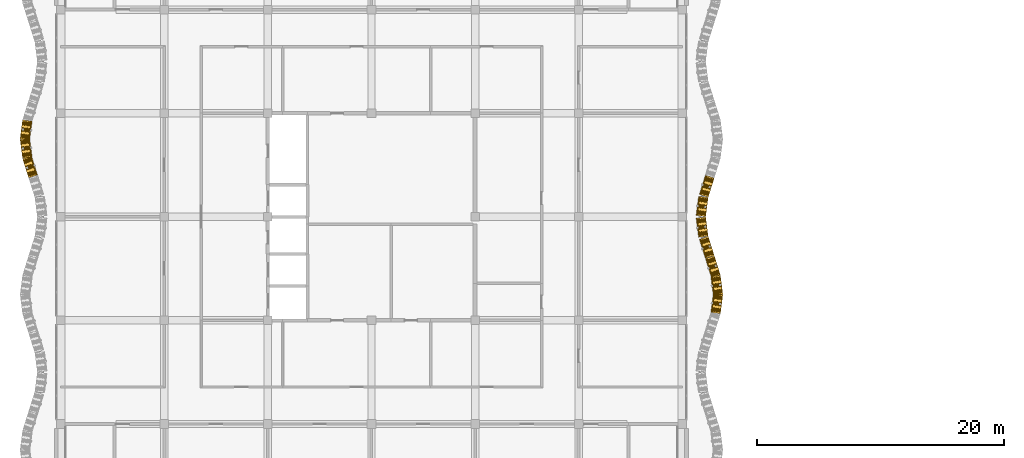
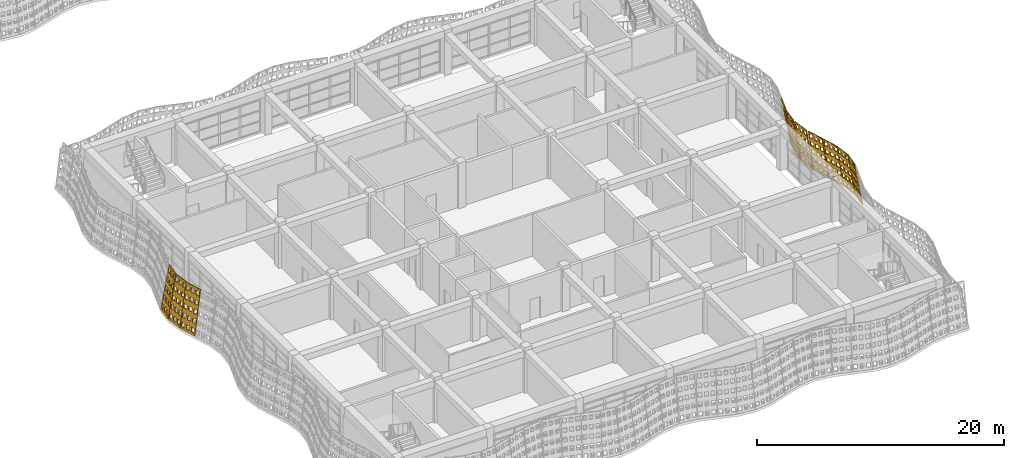
# One storey, part 121 of 162: 10 coverings.
"""IFC4 building model written with IfcOpenShell, lengths in metres."""

from ifc_helpers import new_model, si_unit, direction, frame, origin, place, context, subcontext, project, spatial, polyline, outline, extrude, material, layer, layer_set, type_object, element, save


model = new_model("IFC4")

# Units and contexts
model_context = context("Model", 3, precision=1e-05, world=origin(), true_north=direction((0.0, 1.0)))
body_context = subcontext(model_context, "Body", "Model", "MODEL_VIEW")
ifc_project = project(units=[si_unit("LENGTHUNIT", "METRE"), si_unit("AREAUNIT", "SQUARE_METRE"), si_unit("VOLUMEUNIT", "CUBIC_METRE"), si_unit("PLANEANGLEUNIT", "RADIAN"), si_unit("MASSUNIT", "GRAM", prefix="KILO")], contexts=[model_context])

# Site, building, storey
site_placement = place(None, origin())
site = spatial("IfcSite", under=ifc_project, at=site_placement, CompositionType="ELEMENT")
building_placement = place(site_placement, origin())
building = spatial("IfcBuilding", under=site, at=building_placement, Name="Rain Tree Exposition and Congress Centre", CompositionType="ELEMENT")
storey_placement = place(building_placement, frame((0.0, 0.0, 6.0)))
storey = spatial("IfcBuildingStorey", under=building, at=storey_placement, Name="L01", CompositionType="ELEMENT", Elevation=6.0)

# Coverings
ifc_material = material(Name="Perforated terracotta", Category="masonry")
ifc_layer = layer(ifc_material, 0.080078125)
ifc_layer_set = layer_set([ifc_layer], Name="Perforated terracotta")
covering_type = type_object("IfcCoveringType", Name="Terracotta screen 80", PredefinedType="CLADDING", material=ifc_layer_set)
covering_1_placement = place(storey_placement, frame((53.4931640625, 17.3251953125, 0.01318359375), z_axis=(-0.978036007662, 0.127967328105, -0.16452942185), x_axis=(-0.129735338481, -0.991548658387, 0.0)))
element("IfcCovering", 1, at=covering_1_placement, inside=storey, type_object=covering_type, Name="wing/screen/L01/046", PredefinedType="CLADDING", context=body_context, shape_type="SweptSolid", body=[
    extrude(outline(polyline([(-1.56298828125, 0.0), (-1.56298828125, 4.295166015625), (-0.02197265625, 4.295166015625), (-0.02197265625, 0.0), (-1.56298828125, 0.0)]), holes=[polyline([(-0.11962890625, 0.2216796875), (-0.11962890625, 0.63720703125), (-0.43798828125, 0.63720703125), (-0.43798828125, 0.2216796875), (-0.11962890625, 0.2216796875)]), polyline([(-0.11962890625, 1.080810546875), (-0.11962890625, 1.496337890625), (-0.43798828125, 1.496337890625), (-0.43798828125, 1.080810546875), (-0.11962890625, 1.080810546875)]), polyline([(-0.11962890625, 1.939697265625), (-0.11962890625, 2.35546875), (-0.43798828125, 2.35546875), (-0.43798828125, 1.939697265625), (-0.11962890625, 1.939697265625)]), polyline([(-0.11962890625, 2.798583984375), (-0.11962890625, 3.21435546875), (-0.43798828125, 3.21435546875), (-0.43798828125, 2.798583984375), (-0.11962890625, 2.798583984375)]), polyline([(-0.11962890625, 3.65771484375), (-0.11962890625, 4.073486328125), (-0.43798828125, 4.073486328125), (-0.43798828125, 3.65771484375), (-0.11962890625, 3.65771484375)]), polyline([(-0.63330078125, 0.2216796875), (-0.63330078125, 0.63720703125), (-0.95166015625, 0.63720703125), (-0.95166015625, 0.2216796875), (-0.63330078125, 0.2216796875)]), polyline([(-0.63330078125, 1.080810546875), (-0.63330078125, 1.496337890625), (-0.95166015625, 1.496337890625), (-0.95166015625, 1.080810546875), (-0.63330078125, 1.080810546875)]), polyline([(-0.63330078125, 1.939697265625), (-0.63330078125, 2.35546875), (-0.95166015625, 2.35546875), (-0.95166015625, 1.939697265625), (-0.63330078125, 1.939697265625)]), polyline([(-0.63330078125, 2.798583984375), (-0.63330078125, 3.21435546875), (-0.95166015625, 3.21435546875), (-0.95166015625, 2.798583984375), (-0.63330078125, 2.798583984375)]), polyline([(-0.63330078125, 3.65771484375), (-0.63330078125, 4.073486328125), (-0.95166015625, 4.073486328125), (-0.95166015625, 3.65771484375), (-0.63330078125, 3.65771484375)]), polyline([(-1.146728515625, 0.2216796875), (-1.146728515625, 0.63720703125), (-1.46533203125, 0.63720703125), (-1.46533203125, 0.2216796875), (-1.146728515625, 0.2216796875)]), polyline([(-1.146728515625, 1.080810546875), (-1.146728515625, 1.496337890625), (-1.46533203125, 1.496337890625), (-1.46533203125, 1.080810546875), (-1.146728515625, 1.080810546875)]), polyline([(-1.146728515625, 1.939697265625), (-1.146728515625, 2.35546875), (-1.46533203125, 2.35546875), (-1.46533203125, 1.939697265625), (-1.146728515625, 1.939697265625)]), polyline([(-1.146728515625, 2.798583984375), (-1.146728515625, 3.21435546875), (-1.46533203125, 3.21435546875), (-1.46533203125, 2.798583984375), (-1.146728515625, 2.798583984375)]), polyline([(-1.146728515625, 3.65771484375), (-1.146728515625, 4.073486328125), (-1.46533203125, 4.073486328125), (-1.46533203125, 3.65771484375), (-1.146728515625, 3.65771484375)])]), origin(), (0.0, 0.0, 1.0), 0.080078125),
])
covering_2_placement = place(storey_placement, frame((53.697998046875, 18.899658203125, 0.01318359375), z_axis=(-0.9779030419, -0.128349774249, -0.165021138321), x_axis=(0.130133906157, -0.991496427865, 0.0)))
element("IfcCovering", 2, at=covering_2_placement, inside=storey, type_object=covering_type, Name="wing/screen/L01/047", PredefinedType="CLADDING", context=body_context, shape_type="SweptSolid", body=[
    extrude(outline(polyline([(-1.56640625, 0.0), (-1.56640625, 4.295166015625), (-0.025390625, 4.295166015625), (-0.025390625, 0.0), (-1.56640625, 0.0)]), holes=[polyline([(-0.123046875, 0.2216796875), (-0.123046875, 0.63720703125), (-0.44140625, 0.63720703125), (-0.44140625, 0.2216796875), (-0.123046875, 0.2216796875)]), polyline([(-0.123046875, 1.080810546875), (-0.123046875, 1.496337890625), (-0.44140625, 1.496337890625), (-0.44140625, 1.080810546875), (-0.123046875, 1.080810546875)]), polyline([(-0.123046875, 1.939697265625), (-0.123046875, 2.35546875), (-0.44140625, 2.35546875), (-0.44140625, 1.939697265625), (-0.123046875, 1.939697265625)]), polyline([(-0.123046875, 2.798583984375), (-0.123046875, 3.21435546875), (-0.44140625, 3.21435546875), (-0.44140625, 2.798583984375), (-0.123046875, 2.798583984375)]), polyline([(-0.123046875, 3.65771484375), (-0.123046875, 4.073486328125), (-0.44140625, 4.073486328125), (-0.44140625, 3.65771484375), (-0.123046875, 3.65771484375)]), polyline([(-0.63671875, 0.2216796875), (-0.63671875, 0.63720703125), (-0.955078125, 0.63720703125), (-0.955078125, 0.2216796875), (-0.63671875, 0.2216796875)]), polyline([(-0.63671875, 1.080810546875), (-0.63671875, 1.496337890625), (-0.955078125, 1.496337890625), (-0.955078125, 1.080810546875), (-0.63671875, 1.080810546875)]), polyline([(-0.63671875, 1.939697265625), (-0.63671875, 2.35546875), (-0.955078125, 2.35546875), (-0.955078125, 1.939697265625), (-0.63671875, 1.939697265625)]), polyline([(-0.63671875, 2.798583984375), (-0.63671875, 3.21435546875), (-0.955078125, 3.21435546875), (-0.955078125, 2.798583984375), (-0.63671875, 2.798583984375)]), polyline([(-0.63671875, 3.65771484375), (-0.63671875, 4.073486328125), (-0.955078125, 4.073486328125), (-0.955078125, 3.65771484375), (-0.63671875, 3.65771484375)]), polyline([(-1.150146484375, 0.2216796875), (-1.150146484375, 0.63720703125), (-1.46875, 0.63720703125), (-1.46875, 0.2216796875), (-1.150146484375, 0.2216796875)]), polyline([(-1.150146484375, 1.080810546875), (-1.150146484375, 1.496337890625), (-1.46875, 1.496337890625), (-1.46875, 1.080810546875), (-1.150146484375, 1.080810546875)]), polyline([(-1.150146484375, 1.939697265625), (-1.150146484375, 2.35546875), (-1.46875, 2.35546875), (-1.46875, 1.939697265625), (-1.150146484375, 1.939697265625)]), polyline([(-1.150146484375, 2.798583984375), (-1.150146484375, 3.21435546875), (-1.46875, 3.21435546875), (-1.46875, 2.798583984375), (-1.150146484375, 2.798583984375)]), polyline([(-1.150146484375, 3.65771484375), (-1.150146484375, 4.073486328125), (-1.46875, 4.073486328125), (-1.46875, 3.65771484375), (-1.150146484375, 3.65771484375)])]), origin(), (0.0, 0.0, 1.0), 0.079833984375),
])
covering_3_placement = place(storey_placement, frame((53.493408203125, 20.474365234375, 0.0126953125), z_axis=(-0.942029390639, -0.295717964052, -0.158529217842), x_axis=(0.29950542383, -0.954094597562, 0.0)))
element("IfcCovering", 3, at=covering_3_placement, inside=storey, type_object=covering_type, Name="wing/screen/L01/048", PredefinedType="CLADDING", context=body_context, shape_type="SweptSolid", body=[
    extrude(outline(polyline([(-1.635986328125, 0.0), (-1.635986328125, 4.291259765625), (-0.02197265625, 4.291259765625), (-0.02197265625, 0.0), (-1.635986328125, 0.0)]), holes=[polyline([(-0.124267578125, 0.221435546875), (-0.124267578125, 0.63671875), (-0.457763671875, 0.63671875), (-0.457763671875, 0.221435546875), (-0.124267578125, 0.221435546875)]), polyline([(-0.124267578125, 1.07958984375), (-0.124267578125, 1.4951171875), (-0.457763671875, 1.4951171875), (-0.457763671875, 1.07958984375), (-0.124267578125, 1.07958984375)]), polyline([(-0.124267578125, 1.93798828125), (-0.124267578125, 2.353271484375), (-0.457763671875, 2.353271484375), (-0.457763671875, 1.93798828125), (-0.124267578125, 1.93798828125)]), polyline([(-0.124267578125, 2.796142578125), (-0.124267578125, 3.21142578125), (-0.457763671875, 3.21142578125), (-0.457763671875, 2.796142578125), (-0.124267578125, 2.796142578125)]), polyline([(-0.124267578125, 3.654541015625), (-0.124267578125, 4.06982421875), (-0.457763671875, 4.06982421875), (-0.457763671875, 3.654541015625), (-0.124267578125, 3.654541015625)]), polyline([(-0.662109375, 0.221435546875), (-0.662109375, 0.63671875), (-0.995849609375, 0.63671875), (-0.995849609375, 0.221435546875), (-0.662109375, 0.221435546875)]), polyline([(-0.662109375, 1.07958984375), (-0.662109375, 1.4951171875), (-0.995849609375, 1.4951171875), (-0.995849609375, 1.07958984375), (-0.662109375, 1.07958984375)]), polyline([(-0.662109375, 1.93798828125), (-0.662109375, 2.353271484375), (-0.995849609375, 2.353271484375), (-0.995849609375, 1.93798828125), (-0.662109375, 1.93798828125)]), polyline([(-0.662109375, 2.796142578125), (-0.662109375, 3.21142578125), (-0.995849609375, 3.21142578125), (-0.995849609375, 2.796142578125), (-0.662109375, 2.796142578125)]), polyline([(-0.662109375, 3.654541015625), (-0.662109375, 4.06982421875), (-0.995849609375, 4.06982421875), (-0.995849609375, 3.654541015625), (-0.662109375, 3.654541015625)]), polyline([(-1.2001953125, 0.221435546875), (-1.2001953125, 0.63671875), (-1.53369140625, 0.63671875), (-1.53369140625, 0.221435546875), (-1.2001953125, 0.221435546875)]), polyline([(-1.2001953125, 1.07958984375), (-1.2001953125, 1.4951171875), (-1.53369140625, 1.4951171875), (-1.53369140625, 1.07958984375), (-1.2001953125, 1.07958984375)]), polyline([(-1.2001953125, 1.93798828125), (-1.2001953125, 2.353271484375), (-1.53369140625, 2.353271484375), (-1.53369140625, 1.93798828125), (-1.2001953125, 1.93798828125)]), polyline([(-1.2001953125, 2.796142578125), (-1.2001953125, 3.21142578125), (-1.53369140625, 3.21142578125), (-1.53369140625, 2.796142578125), (-1.2001953125, 2.796142578125)]), polyline([(-1.2001953125, 3.654541015625), (-1.2001953125, 4.06982421875), (-1.53369140625, 4.06982421875), (-1.53369140625, 3.654541015625), (-1.2001953125, 3.654541015625)])]), origin(), (0.0, 0.0, 1.0), 0.080078125),
])
covering_4_placement = place(storey_placement, frame((52.998291015625, 22.04931640625, 0.0126953125), z_axis=(-0.941684688936, -0.296569528658, -0.158985726703), x_axis=(0.300390227601, -0.953816392794, 0.0)))
element("IfcCovering", 4, at=covering_4_placement, inside=storey, type_object=covering_type, Name="wing/screen/L01/049", PredefinedType="CLADDING", context=body_context, shape_type="SweptSolid", body=[
    extrude(outline(polyline([(-1.635986328125, 0.0), (-1.635986328125, 4.291259765625), (-0.014892578125, 4.291259765625), (-0.014892578125, 0.0), (-1.635986328125, 0.0)]), holes=[polyline([(-0.11767578125, 0.221435546875), (-0.11767578125, 0.63671875), (-0.45263671875, 0.63671875), (-0.45263671875, 0.221435546875), (-0.11767578125, 0.221435546875)]), polyline([(-0.11767578125, 1.07958984375), (-0.11767578125, 1.4951171875), (-0.45263671875, 1.4951171875), (-0.45263671875, 1.07958984375), (-0.11767578125, 1.07958984375)]), polyline([(-0.11767578125, 1.93798828125), (-0.11767578125, 2.353271484375), (-0.45263671875, 2.353271484375), (-0.45263671875, 1.93798828125), (-0.11767578125, 1.93798828125)]), polyline([(-0.11767578125, 2.796142578125), (-0.11767578125, 3.21142578125), (-0.45263671875, 3.21142578125), (-0.45263671875, 2.796142578125), (-0.11767578125, 2.796142578125)]), polyline([(-0.11767578125, 3.654541015625), (-0.11767578125, 4.06982421875), (-0.45263671875, 4.06982421875), (-0.45263671875, 3.654541015625), (-0.11767578125, 3.654541015625)]), polyline([(-0.657958984375, 0.221435546875), (-0.657958984375, 0.63671875), (-0.992919921875, 0.63671875), (-0.992919921875, 0.221435546875), (-0.657958984375, 0.221435546875)]), polyline([(-0.657958984375, 1.07958984375), (-0.657958984375, 1.4951171875), (-0.992919921875, 1.4951171875), (-0.992919921875, 1.07958984375), (-0.657958984375, 1.07958984375)]), polyline([(-0.657958984375, 1.93798828125), (-0.657958984375, 2.353271484375), (-0.992919921875, 2.353271484375), (-0.992919921875, 1.93798828125), (-0.657958984375, 1.93798828125)]), polyline([(-0.657958984375, 2.796142578125), (-0.657958984375, 3.21142578125), (-0.992919921875, 3.21142578125), (-0.992919921875, 2.796142578125), (-0.657958984375, 2.796142578125)]), polyline([(-0.657958984375, 3.654541015625), (-0.657958984375, 4.06982421875), (-0.992919921875, 4.06982421875), (-0.992919921875, 3.654541015625), (-0.657958984375, 3.654541015625)]), polyline([(-1.1982421875, 0.221435546875), (-1.1982421875, 0.63671875), (-1.533203125, 0.63671875), (-1.533203125, 0.221435546875), (-1.1982421875, 0.221435546875)]), polyline([(-1.1982421875, 1.07958984375), (-1.1982421875, 1.4951171875), (-1.533203125, 1.4951171875), (-1.533203125, 1.07958984375), (-1.1982421875, 1.07958984375)]), polyline([(-1.1982421875, 1.93798828125), (-1.1982421875, 2.353271484375), (-1.533203125, 2.353271484375), (-1.533203125, 1.93798828125), (-1.1982421875, 1.93798828125)]), polyline([(-1.1982421875, 2.796142578125), (-1.1982421875, 3.21142578125), (-1.533203125, 3.21142578125), (-1.533203125, 2.796142578125), (-1.1982421875, 2.796142578125)]), polyline([(-1.1982421875, 3.654541015625), (-1.1982421875, 4.06982421875), (-1.533203125, 4.06982421875), (-1.533203125, 3.654541015625), (-1.1982421875, 3.654541015625)])]), origin(), (0.0, 0.0, 1.0), 0.079833984375),
])
covering_5_placement = place(storey_placement, frame((52.503173828125, 23.624755859375, 0.01318359375), z_axis=(-0.978036007662, -0.127967328105, -0.16452942185), x_axis=(0.129735338481, -0.991548658387, 0.0)))
element("IfcCovering", 5, at=covering_5_placement, inside=storey, type_object=covering_type, Name="wing/screen/L01/050", PredefinedType="CLADDING", context=body_context, shape_type="SweptSolid", body=[
    extrude(outline(polyline([(-1.5732421875, 0.0), (-1.5732421875, 4.295166015625), (-0.014892578125, 4.295166015625), (-0.014892578125, 0.0), (-1.5732421875, 0.0)]), holes=[polyline([(-0.11376953125, 0.2216796875), (-0.11376953125, 0.63720703125), (-0.435791015625, 0.63720703125), (-0.435791015625, 0.2216796875), (-0.11376953125, 0.2216796875)]), polyline([(-0.11376953125, 1.080810546875), (-0.11376953125, 1.496337890625), (-0.435791015625, 1.496337890625), (-0.435791015625, 1.080810546875), (-0.11376953125, 1.080810546875)]), polyline([(-0.11376953125, 1.939697265625), (-0.11376953125, 2.35546875), (-0.435791015625, 2.35546875), (-0.435791015625, 1.939697265625), (-0.11376953125, 1.939697265625)]), polyline([(-0.11376953125, 2.798583984375), (-0.11376953125, 3.21435546875), (-0.435791015625, 3.21435546875), (-0.435791015625, 2.798583984375), (-0.11376953125, 2.798583984375)]), polyline([(-0.11376953125, 3.65771484375), (-0.11376953125, 4.073486328125), (-0.435791015625, 4.073486328125), (-0.435791015625, 3.65771484375), (-0.11376953125, 3.65771484375)]), polyline([(-0.633056640625, 0.2216796875), (-0.633056640625, 0.63720703125), (-0.955078125, 0.63720703125), (-0.955078125, 0.2216796875), (-0.633056640625, 0.2216796875)]), polyline([(-0.633056640625, 1.080810546875), (-0.633056640625, 1.496337890625), (-0.955078125, 1.496337890625), (-0.955078125, 1.080810546875), (-0.633056640625, 1.080810546875)]), polyline([(-0.633056640625, 1.939697265625), (-0.633056640625, 2.35546875), (-0.955078125, 2.35546875), (-0.955078125, 1.939697265625), (-0.633056640625, 1.939697265625)]), polyline([(-0.633056640625, 2.798583984375), (-0.633056640625, 3.21435546875), (-0.955078125, 3.21435546875), (-0.955078125, 2.798583984375), (-0.633056640625, 2.798583984375)]), polyline([(-0.633056640625, 3.65771484375), (-0.633056640625, 4.073486328125), (-0.955078125, 4.073486328125), (-0.955078125, 3.65771484375), (-0.633056640625, 3.65771484375)]), polyline([(-1.152587890625, 0.2216796875), (-1.152587890625, 0.63720703125), (-1.474609375, 0.63720703125), (-1.474609375, 0.2216796875), (-1.152587890625, 0.2216796875)]), polyline([(-1.152587890625, 1.080810546875), (-1.152587890625, 1.496337890625), (-1.474609375, 1.496337890625), (-1.474609375, 1.080810546875), (-1.152587890625, 1.080810546875)]), polyline([(-1.152587890625, 1.939697265625), (-1.152587890625, 2.35546875), (-1.474609375, 2.35546875), (-1.474609375, 1.939697265625), (-1.152587890625, 1.939697265625)]), polyline([(-1.152587890625, 2.798583984375), (-1.152587890625, 3.21435546875), (-1.474609375, 3.21435546875), (-1.474609375, 2.798583984375), (-1.152587890625, 2.798583984375)]), polyline([(-1.152587890625, 3.65771484375), (-1.152587890625, 4.073486328125), (-1.474609375, 4.073486328125), (-1.474609375, 3.65771484375), (-1.152587890625, 3.65771484375)])]), origin(), (0.0, 0.0, 1.0), 0.080078125),
])
covering_6_placement = place(storey_placement, frame((52.298095703125, 25.2001953125, 0.01318359375), z_axis=(-0.9779030419, 0.128349774249, -0.165021138321), x_axis=(-0.130133906157, -0.991496427865, 0.0)))
element("IfcCovering", 6, at=covering_6_placement, inside=storey, type_object=covering_type, Name="wing/screen/L01/051", PredefinedType="CLADDING", context=body_context, shape_type="SweptSolid", body=[
    extrude(outline(polyline([(-1.5732421875, 0.0), (-1.5732421875, 4.295166015625), (-0.014892578125, 4.295166015625), (-0.014892578125, 0.0), (-1.5732421875, 0.0)]), holes=[polyline([(-0.11376953125, 0.2216796875), (-0.11376953125, 0.63720703125), (-0.435791015625, 0.63720703125), (-0.435791015625, 0.2216796875), (-0.11376953125, 0.2216796875)]), polyline([(-0.11376953125, 1.080810546875), (-0.11376953125, 1.496337890625), (-0.435791015625, 1.496337890625), (-0.435791015625, 1.080810546875), (-0.11376953125, 1.080810546875)]), polyline([(-0.11376953125, 1.939697265625), (-0.11376953125, 2.35546875), (-0.435791015625, 2.35546875), (-0.435791015625, 1.939697265625), (-0.11376953125, 1.939697265625)]), polyline([(-0.11376953125, 2.798583984375), (-0.11376953125, 3.21435546875), (-0.435791015625, 3.21435546875), (-0.435791015625, 2.798583984375), (-0.11376953125, 2.798583984375)]), polyline([(-0.11376953125, 3.65771484375), (-0.11376953125, 4.073486328125), (-0.435791015625, 4.073486328125), (-0.435791015625, 3.65771484375), (-0.11376953125, 3.65771484375)]), polyline([(-0.633056640625, 0.2216796875), (-0.633056640625, 0.63720703125), (-0.955078125, 0.63720703125), (-0.955078125, 0.2216796875), (-0.633056640625, 0.2216796875)]), polyline([(-0.633056640625, 1.080810546875), (-0.633056640625, 1.496337890625), (-0.955078125, 1.496337890625), (-0.955078125, 1.080810546875), (-0.633056640625, 1.080810546875)]), polyline([(-0.633056640625, 1.939697265625), (-0.633056640625, 2.35546875), (-0.955078125, 2.35546875), (-0.955078125, 1.939697265625), (-0.633056640625, 1.939697265625)]), polyline([(-0.633056640625, 2.798583984375), (-0.633056640625, 3.21435546875), (-0.955078125, 3.21435546875), (-0.955078125, 2.798583984375), (-0.633056640625, 2.798583984375)]), polyline([(-0.633056640625, 3.65771484375), (-0.633056640625, 4.073486328125), (-0.955078125, 4.073486328125), (-0.955078125, 3.65771484375), (-0.633056640625, 3.65771484375)]), polyline([(-1.152587890625, 0.2216796875), (-1.152587890625, 0.63720703125), (-1.474609375, 0.63720703125), (-1.474609375, 0.2216796875), (-1.152587890625, 0.2216796875)]), polyline([(-1.152587890625, 1.080810546875), (-1.152587890625, 1.496337890625), (-1.474609375, 1.496337890625), (-1.474609375, 1.080810546875), (-1.152587890625, 1.080810546875)]), polyline([(-1.152587890625, 1.939697265625), (-1.152587890625, 2.35546875), (-1.474609375, 2.35546875), (-1.474609375, 1.939697265625), (-1.152587890625, 1.939697265625)]), polyline([(-1.152587890625, 2.798583984375), (-1.152587890625, 3.21435546875), (-1.474609375, 3.21435546875), (-1.474609375, 2.798583984375), (-1.152587890625, 2.798583984375)]), polyline([(-1.152587890625, 3.65771484375), (-1.152587890625, 4.073486328125), (-1.474609375, 4.073486328125), (-1.474609375, 3.65771484375), (-1.152587890625, 3.65771484375)])]), origin(), (0.0, 0.0, 1.0), 0.079833984375),
])
covering_7_placement = place(storey_placement, frame((52.50341796875, 26.775634765625, 0.0126953125), z_axis=(-0.942029390639, 0.295717964052, -0.158529217842), x_axis=(-0.29950542383, -0.954094597562, 0.0)))
element("IfcCovering", 7, at=covering_7_placement, inside=storey, type_object=covering_type, Name="wing/screen/L01/052", PredefinedType="CLADDING", context=body_context, shape_type="SweptSolid", body=[
    extrude(outline(polyline([(-1.635986328125, 0.0), (-1.635986328125, 4.291259765625), (-0.014892578125, 4.291259765625), (-0.014892578125, 0.0), (-1.635986328125, 0.0)]), holes=[polyline([(-0.11767578125, 0.221435546875), (-0.11767578125, 0.63671875), (-0.45263671875, 0.63671875), (-0.45263671875, 0.221435546875), (-0.11767578125, 0.221435546875)]), polyline([(-0.11767578125, 1.07958984375), (-0.11767578125, 1.4951171875), (-0.45263671875, 1.4951171875), (-0.45263671875, 1.07958984375), (-0.11767578125, 1.07958984375)]), polyline([(-0.11767578125, 1.93798828125), (-0.11767578125, 2.353271484375), (-0.45263671875, 2.353271484375), (-0.45263671875, 1.93798828125), (-0.11767578125, 1.93798828125)]), polyline([(-0.11767578125, 2.796142578125), (-0.11767578125, 3.21142578125), (-0.45263671875, 3.21142578125), (-0.45263671875, 2.796142578125), (-0.11767578125, 2.796142578125)]), polyline([(-0.11767578125, 3.654541015625), (-0.11767578125, 4.06982421875), (-0.45263671875, 4.06982421875), (-0.45263671875, 3.654541015625), (-0.11767578125, 3.654541015625)]), polyline([(-0.657958984375, 0.221435546875), (-0.657958984375, 0.63671875), (-0.992919921875, 0.63671875), (-0.992919921875, 0.221435546875), (-0.657958984375, 0.221435546875)]), polyline([(-0.657958984375, 1.07958984375), (-0.657958984375, 1.4951171875), (-0.992919921875, 1.4951171875), (-0.992919921875, 1.07958984375), (-0.657958984375, 1.07958984375)]), polyline([(-0.657958984375, 1.93798828125), (-0.657958984375, 2.353271484375), (-0.992919921875, 2.353271484375), (-0.992919921875, 1.93798828125), (-0.657958984375, 1.93798828125)]), polyline([(-0.657958984375, 2.796142578125), (-0.657958984375, 3.21142578125), (-0.992919921875, 3.21142578125), (-0.992919921875, 2.796142578125), (-0.657958984375, 2.796142578125)]), polyline([(-0.657958984375, 3.654541015625), (-0.657958984375, 4.06982421875), (-0.992919921875, 4.06982421875), (-0.992919921875, 3.654541015625), (-0.657958984375, 3.654541015625)]), polyline([(-1.1982421875, 0.221435546875), (-1.1982421875, 0.63671875), (-1.533203125, 0.63671875), (-1.533203125, 0.221435546875), (-1.1982421875, 0.221435546875)]), polyline([(-1.1982421875, 1.07958984375), (-1.1982421875, 1.4951171875), (-1.533203125, 1.4951171875), (-1.533203125, 1.07958984375), (-1.1982421875, 1.07958984375)]), polyline([(-1.1982421875, 1.93798828125), (-1.1982421875, 2.353271484375), (-1.533203125, 2.353271484375), (-1.533203125, 1.93798828125), (-1.1982421875, 1.93798828125)]), polyline([(-1.1982421875, 2.796142578125), (-1.1982421875, 3.21142578125), (-1.533203125, 3.21142578125), (-1.533203125, 2.796142578125), (-1.1982421875, 2.796142578125)]), polyline([(-1.1982421875, 3.654541015625), (-1.1982421875, 4.06982421875), (-1.533203125, 4.06982421875), (-1.533203125, 3.654541015625), (-1.1982421875, 3.654541015625)])]), origin(), (0.0, 0.0, 1.0), 0.080078125),
])
covering_8_placement = place(storey_placement, frame((-3.093017578125, 33.07470703125, 0.01318359375), z_axis=(0.9779030419, -0.128349774249, -0.165021138321), x_axis=(0.130133906157, 0.991496427865, 0.0)))
element("IfcCovering", 8, at=covering_8_placement, inside=storey, type_object=covering_type, Name="wing/screen/L01/114", PredefinedType="CLADDING", context=body_context, shape_type="SweptSolid", body=[
    extrude(outline(polyline([(-1.56298828125, 0.0), (-1.56298828125, 4.295166015625), (-0.02197265625, 4.295166015625), (-0.02197265625, 0.0), (-1.56298828125, 0.0)]), holes=[polyline([(-0.11962890625, 0.2216796875), (-0.11962890625, 0.63720703125), (-0.43798828125, 0.63720703125), (-0.43798828125, 0.2216796875), (-0.11962890625, 0.2216796875)]), polyline([(-0.11962890625, 1.080810546875), (-0.11962890625, 1.496337890625), (-0.43798828125, 1.496337890625), (-0.43798828125, 1.080810546875), (-0.11962890625, 1.080810546875)]), polyline([(-0.11962890625, 1.939697265625), (-0.11962890625, 2.35546875), (-0.43798828125, 2.35546875), (-0.43798828125, 1.939697265625), (-0.11962890625, 1.939697265625)]), polyline([(-0.11962890625, 2.798583984375), (-0.11962890625, 3.21435546875), (-0.43798828125, 3.21435546875), (-0.43798828125, 2.798583984375), (-0.11962890625, 2.798583984375)]), polyline([(-0.11962890625, 3.65771484375), (-0.11962890625, 4.073486328125), (-0.43798828125, 4.073486328125), (-0.43798828125, 3.65771484375), (-0.11962890625, 3.65771484375)]), polyline([(-0.63330078125, 0.2216796875), (-0.63330078125, 0.63720703125), (-0.95166015625, 0.63720703125), (-0.95166015625, 0.2216796875), (-0.63330078125, 0.2216796875)]), polyline([(-0.63330078125, 1.080810546875), (-0.63330078125, 1.496337890625), (-0.95166015625, 1.496337890625), (-0.95166015625, 1.080810546875), (-0.63330078125, 1.080810546875)]), polyline([(-0.63330078125, 1.939697265625), (-0.63330078125, 2.35546875), (-0.95166015625, 2.35546875), (-0.95166015625, 1.939697265625), (-0.63330078125, 1.939697265625)]), polyline([(-0.63330078125, 2.798583984375), (-0.63330078125, 3.21435546875), (-0.95166015625, 3.21435546875), (-0.95166015625, 2.798583984375), (-0.63330078125, 2.798583984375)]), polyline([(-0.63330078125, 3.65771484375), (-0.63330078125, 4.073486328125), (-0.95166015625, 4.073486328125), (-0.95166015625, 3.65771484375), (-0.63330078125, 3.65771484375)]), polyline([(-1.146728515625, 0.2216796875), (-1.146728515625, 0.63720703125), (-1.46533203125, 0.63720703125), (-1.46533203125, 0.2216796875), (-1.146728515625, 0.2216796875)]), polyline([(-1.146728515625, 1.080810546875), (-1.146728515625, 1.496337890625), (-1.46533203125, 1.496337890625), (-1.46533203125, 1.080810546875), (-1.146728515625, 1.080810546875)]), polyline([(-1.146728515625, 1.939697265625), (-1.146728515625, 2.35546875), (-1.46533203125, 2.35546875), (-1.46533203125, 1.939697265625), (-1.146728515625, 1.939697265625)]), polyline([(-1.146728515625, 2.798583984375), (-1.146728515625, 3.21435546875), (-1.46533203125, 3.21435546875), (-1.46533203125, 2.798583984375), (-1.146728515625, 2.798583984375)]), polyline([(-1.146728515625, 3.65771484375), (-1.146728515625, 4.073486328125), (-1.46533203125, 4.073486328125), (-1.46533203125, 3.65771484375), (-1.146728515625, 3.65771484375)])]), origin(), (0.0, 0.0, 1.0), 0.079833984375),
])
covering_9_placement = place(storey_placement, frame((-3.298095703125, 31.500244140625, 0.01318359375), z_axis=(0.9779030419, 0.128349774249, -0.165021138321), x_axis=(-0.130133906157, 0.991496427865, 0.0)))
element("IfcCovering", 9, at=covering_9_placement, inside=storey, type_object=covering_type, Name="wing/screen/L01/115", PredefinedType="CLADDING", context=body_context, shape_type="SweptSolid", body=[
    extrude(outline(polyline([(-1.56640625, 0.0), (-1.56640625, 4.295166015625), (-0.025390625, 4.295166015625), (-0.025390625, 0.0), (-1.56640625, 0.0)]), holes=[polyline([(-0.123046875, 0.2216796875), (-0.123046875, 0.63720703125), (-0.44140625, 0.63720703125), (-0.44140625, 0.2216796875), (-0.123046875, 0.2216796875)]), polyline([(-0.123046875, 1.080810546875), (-0.123046875, 1.496337890625), (-0.44140625, 1.496337890625), (-0.44140625, 1.080810546875), (-0.123046875, 1.080810546875)]), polyline([(-0.123046875, 1.939697265625), (-0.123046875, 2.35546875), (-0.44140625, 2.35546875), (-0.44140625, 1.939697265625), (-0.123046875, 1.939697265625)]), polyline([(-0.123046875, 2.798583984375), (-0.123046875, 3.21435546875), (-0.44140625, 3.21435546875), (-0.44140625, 2.798583984375), (-0.123046875, 2.798583984375)]), polyline([(-0.123046875, 3.65771484375), (-0.123046875, 4.073486328125), (-0.44140625, 4.073486328125), (-0.44140625, 3.65771484375), (-0.123046875, 3.65771484375)]), polyline([(-0.63671875, 0.2216796875), (-0.63671875, 0.63720703125), (-0.955078125, 0.63720703125), (-0.955078125, 0.2216796875), (-0.63671875, 0.2216796875)]), polyline([(-0.63671875, 1.080810546875), (-0.63671875, 1.496337890625), (-0.955078125, 1.496337890625), (-0.955078125, 1.080810546875), (-0.63671875, 1.080810546875)]), polyline([(-0.63671875, 1.939697265625), (-0.63671875, 2.35546875), (-0.955078125, 2.35546875), (-0.955078125, 1.939697265625), (-0.63671875, 1.939697265625)]), polyline([(-0.63671875, 2.798583984375), (-0.63671875, 3.21435546875), (-0.955078125, 3.21435546875), (-0.955078125, 2.798583984375), (-0.63671875, 2.798583984375)]), polyline([(-0.63671875, 3.65771484375), (-0.63671875, 4.073486328125), (-0.955078125, 4.073486328125), (-0.955078125, 3.65771484375), (-0.63671875, 3.65771484375)]), polyline([(-1.150146484375, 0.2216796875), (-1.150146484375, 0.63720703125), (-1.46875, 0.63720703125), (-1.46875, 0.2216796875), (-1.150146484375, 0.2216796875)]), polyline([(-1.150146484375, 1.080810546875), (-1.150146484375, 1.496337890625), (-1.46875, 1.496337890625), (-1.46875, 1.080810546875), (-1.150146484375, 1.080810546875)]), polyline([(-1.150146484375, 1.939697265625), (-1.150146484375, 2.35546875), (-1.46875, 2.35546875), (-1.46875, 1.939697265625), (-1.150146484375, 1.939697265625)]), polyline([(-1.150146484375, 2.798583984375), (-1.150146484375, 3.21435546875), (-1.46875, 3.21435546875), (-1.46875, 2.798583984375), (-1.150146484375, 2.798583984375)]), polyline([(-1.150146484375, 3.65771484375), (-1.150146484375, 4.073486328125), (-1.46875, 4.073486328125), (-1.46875, 3.65771484375), (-1.150146484375, 3.65771484375)])]), origin(), (0.0, 0.0, 1.0), 0.079833984375),
])
covering_10_placement = place(storey_placement, frame((-3.093505859375, 29.925537109375, 0.0126953125), z_axis=(0.942029390639, 0.295717964052, -0.158529217842), x_axis=(-0.29950542383, 0.954094597562, 0.0)))
element("IfcCovering", 10, at=covering_10_placement, inside=storey, type_object=covering_type, Name="wing/screen/L01/116", PredefinedType="CLADDING", context=body_context, shape_type="SweptSolid", body=[
    extrude(outline(polyline([(-1.635986328125, 0.0), (-1.635986328125, 4.291259765625), (-0.02197265625, 4.291259765625), (-0.02197265625, 0.0), (-1.635986328125, 0.0)]), holes=[polyline([(-0.124267578125, 0.221435546875), (-0.124267578125, 0.63671875), (-0.457763671875, 0.63671875), (-0.457763671875, 0.221435546875), (-0.124267578125, 0.221435546875)]), polyline([(-0.124267578125, 1.07958984375), (-0.124267578125, 1.4951171875), (-0.457763671875, 1.4951171875), (-0.457763671875, 1.07958984375), (-0.124267578125, 1.07958984375)]), polyline([(-0.124267578125, 1.93798828125), (-0.124267578125, 2.353271484375), (-0.457763671875, 2.353271484375), (-0.457763671875, 1.93798828125), (-0.124267578125, 1.93798828125)]), polyline([(-0.124267578125, 2.796142578125), (-0.124267578125, 3.21142578125), (-0.457763671875, 3.21142578125), (-0.457763671875, 2.796142578125), (-0.124267578125, 2.796142578125)]), polyline([(-0.124267578125, 3.654541015625), (-0.124267578125, 4.06982421875), (-0.457763671875, 4.06982421875), (-0.457763671875, 3.654541015625), (-0.124267578125, 3.654541015625)]), polyline([(-0.662109375, 0.221435546875), (-0.662109375, 0.63671875), (-0.995849609375, 0.63671875), (-0.995849609375, 0.221435546875), (-0.662109375, 0.221435546875)]), polyline([(-0.662109375, 1.07958984375), (-0.662109375, 1.4951171875), (-0.995849609375, 1.4951171875), (-0.995849609375, 1.07958984375), (-0.662109375, 1.07958984375)]), polyline([(-0.662109375, 1.93798828125), (-0.662109375, 2.353271484375), (-0.995849609375, 2.353271484375), (-0.995849609375, 1.93798828125), (-0.662109375, 1.93798828125)]), polyline([(-0.662109375, 2.796142578125), (-0.662109375, 3.21142578125), (-0.995849609375, 3.21142578125), (-0.995849609375, 2.796142578125), (-0.662109375, 2.796142578125)]), polyline([(-0.662109375, 3.654541015625), (-0.662109375, 4.06982421875), (-0.995849609375, 4.06982421875), (-0.995849609375, 3.654541015625), (-0.662109375, 3.654541015625)]), polyline([(-1.2001953125, 0.221435546875), (-1.2001953125, 0.63671875), (-1.53369140625, 0.63671875), (-1.53369140625, 0.221435546875), (-1.2001953125, 0.221435546875)]), polyline([(-1.2001953125, 1.07958984375), (-1.2001953125, 1.4951171875), (-1.53369140625, 1.4951171875), (-1.53369140625, 1.07958984375), (-1.2001953125, 1.07958984375)]), polyline([(-1.2001953125, 1.93798828125), (-1.2001953125, 2.353271484375), (-1.53369140625, 2.353271484375), (-1.53369140625, 1.93798828125), (-1.2001953125, 1.93798828125)]), polyline([(-1.2001953125, 2.796142578125), (-1.2001953125, 3.21142578125), (-1.53369140625, 3.21142578125), (-1.53369140625, 2.796142578125), (-1.2001953125, 2.796142578125)]), polyline([(-1.2001953125, 3.654541015625), (-1.2001953125, 4.06982421875), (-1.53369140625, 4.06982421875), (-1.53369140625, 3.654541015625), (-1.2001953125, 3.654541015625)])]), origin(), (0.0, 0.0, 1.0), 0.080078125),
])

save(model, "model.ifc")
